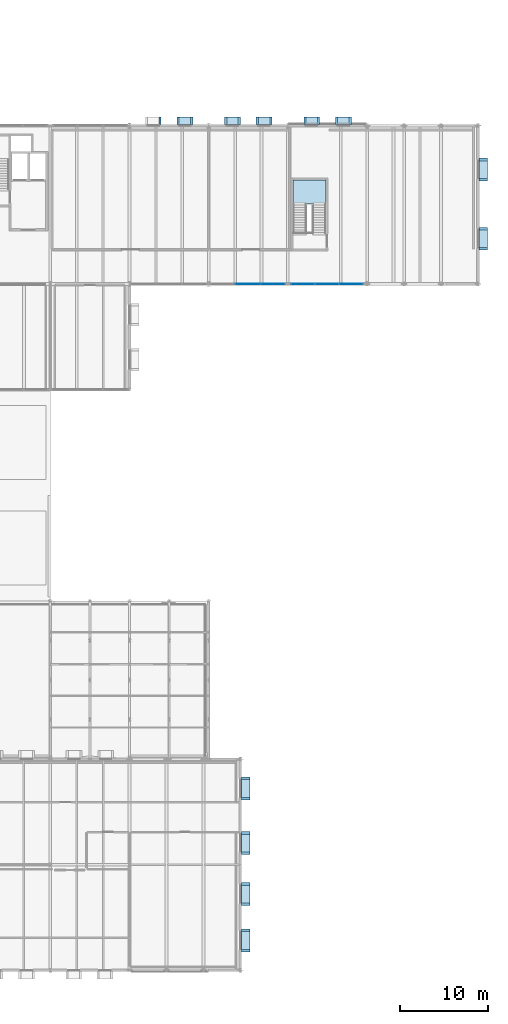
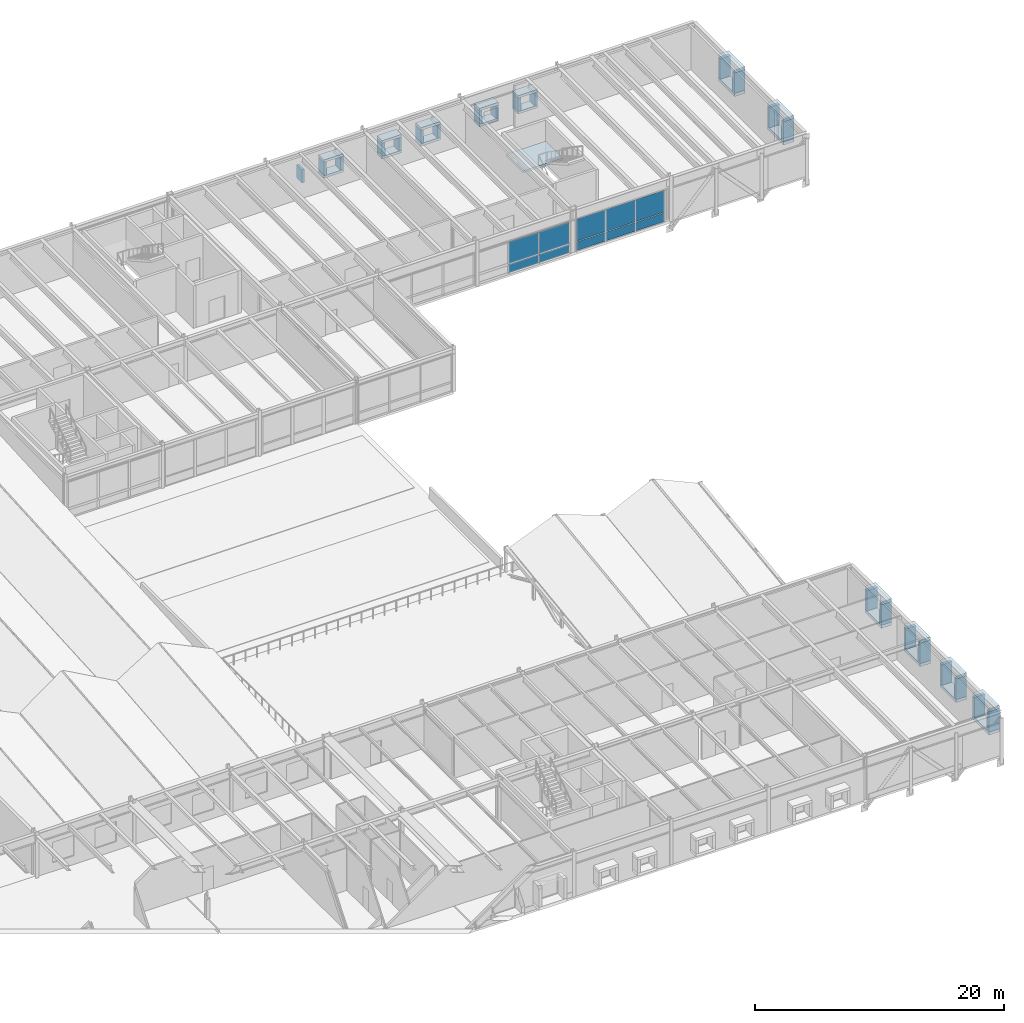
# One storey, part 107 of 142: 55 plates, 1 slab, 3 elements without a shape of their own.
"""IFC4 building model written with IfcOpenShell, lengths in metres."""

from ifc_helpers import new_model, si_unit, direction, frame, origin, origin_2d, place, context, subcontext, project, spatial, polyline, rectangle, outline, extrude, material, layer, layer_set, type_object, element, aggregate, save


model = new_model("IFC4")

# Units and contexts
model_context = context("Model", 3, precision=1e-05, world=origin(), true_north=direction((0.0, 1.0)))
body_context = subcontext(model_context, "Body", "Model", "MODEL_VIEW")
ifc_project = project(units=[si_unit("LENGTHUNIT", "METRE"), si_unit("AREAUNIT", "SQUARE_METRE"), si_unit("VOLUMEUNIT", "CUBIC_METRE"), si_unit("PLANEANGLEUNIT", "RADIAN"), si_unit("MASSUNIT", "GRAM", prefix="KILO")], contexts=[model_context])

# Site, building, storey
site_placement = place(None, origin())
site = spatial("IfcSite", under=ifc_project, at=site_placement, CompositionType="ELEMENT")
building_placement = place(site_placement, origin())
building = spatial("IfcBuilding", under=site, at=building_placement, Name="Montelvaro Courts of Justice", CompositionType="ELEMENT")
storey_placement = place(building_placement, frame((0.0, 0.0, 14.39990234375)))
storey = spatial("IfcBuildingStorey", under=building, at=storey_placement, Name="L03", CompositionType="ELEMENT", Elevation=14.39990234375)

# Curtain wall, plates
ifc_material_1 = material(Name="Anodised aluminium EN AW-6063", Category="aluminium")
ifc_layer_1 = layer(ifc_material_1, 0.159912109375)
ifc_layer_set_1 = layer_set([ifc_layer_1], Name="Anodised aluminium EN AW-6063")
curtain_wall_type_1 = type_object("IfcCurtainWallType", Name="CurtainWall_13_857x418", PredefinedType="USERDEFINED", material=ifc_layer_set_1)
curtain_wall_1_placement = place(storey_placement, origin())
curtain_wall_1 = element("IfcCurtainWall", 1, at=curtain_wall_1_placement, inside=storey, type_object=curtain_wall_type_1, Name="Curtain Wall CW-13 (L03)", ObjectType="CURTAIN WALL", PredefinedType="USERDEFINED")
ifc_material_2 = material(Name="Low-E solar control double glazing", Category="glass")
ifc_layer_2 = layer(ifc_material_2, 0.028076171875)
ifc_layer_set_2 = layer_set([ifc_layer_2], Name="Low-E solar control double glazing")
plate_type_1 = type_object("IfcPlateType", Name="CurtainWall_Glazed_Panel_28", PredefinedType="CURTAIN_PANEL", material=ifc_layer_set_2)
plate_1_placement = place(storey_placement, frame((148.4375, 78.0, 0.0751953125), z_axis=(0.0, 0.0, 1.0), x_axis=(1.0, 0.0, 0.0)))
plate_1 = element("IfcPlate", 2, at=plate_1_placement, type_object=plate_type_1, Name="CW-13 panel 2.1", PredefinedType="CURTAIN_PANEL", context=body_context, shape_type="SweptSolid", body=[
    extrude(rectangle(XDim=2.788330078125, YDim=0.028076171875, at=origin_2d()), origin(), (0.0, 0.0, 1.0), 0.83740234375),
])
plate_2_placement = place(storey_placement, frame((148.4375, 78.0, 0.987548828125), z_axis=(0.0, 0.0, 1.0), x_axis=(1.0, 0.0, 0.0)))
plate_2 = element("IfcPlate", 3, at=plate_2_placement, type_object=plate_type_1, Name="CW-13 panel 2.2", PredefinedType="CURTAIN_PANEL", context=body_context, shape_type="SweptSolid", body=[
    extrude(rectangle(XDim=2.788330078125, YDim=0.028076171875, at=origin_2d()), origin(), (0.0, 0.0, 1.0), 2.12451171875),
])
plate_3_placement = place(storey_placement, frame((151.270751953125, 78.0, 0.0751953125), z_axis=(0.0, 0.0, 1.0), x_axis=(1.0, 0.0, 0.0)))
plate_3 = element("IfcPlate", 4, at=plate_3_placement, type_object=plate_type_1, Name="CW-13 panel 3.1", PredefinedType="CURTAIN_PANEL", context=body_context, shape_type="SweptSolid", body=[
    extrude(rectangle(XDim=2.75830078125, YDim=0.028076171875, at=origin_2d()), origin(), (0.0, 0.0, 1.0), 0.83740234375),
])
plate_4_placement = place(storey_placement, frame((151.270751953125, 78.0, 0.987548828125), z_axis=(0.0, 0.0, 1.0), x_axis=(1.0, 0.0, 0.0)))
plate_4 = element("IfcPlate", 5, at=plate_4_placement, type_object=plate_type_1, Name="CW-13 panel 3.2", PredefinedType="CURTAIN_PANEL", context=body_context, shape_type="SweptSolid", body=[
    extrude(rectangle(XDim=2.75830078125, YDim=0.028076171875, at=origin_2d()), origin(), (0.0, 0.0, 1.0), 2.12451171875),
])
aggregate(curtain_wall_1, [plate_1, plate_2, plate_3, plate_4])

ifc_layer_3 = layer(ifc_material_1, 0.159912109375)
ifc_layer_set_3 = layer_set([ifc_layer_3], Name="Anodised aluminium EN AW-6063")
curtain_wall_type_2 = type_object("IfcCurtainWallType", Name="CurtainWall_26_824x418", PredefinedType="USERDEFINED", material=ifc_layer_set_3)
curtain_wall_2_placement = place(storey_placement, origin())
curtain_wall_2 = element("IfcCurtainWall", 6, at=curtain_wall_2_placement, inside=storey, type_object=curtain_wall_type_2, Name="Curtain Wall CW-26 (L03)", ObjectType="CURTAIN WALL", PredefinedType="USERDEFINED")
plate_5_placement = place(storey_placement, frame((154.682861328125, 78.0, 0.06005859375), z_axis=(0.0, 0.0, 1.0), x_axis=(1.0, 0.0, 0.0)))
plate_5 = element("IfcPlate", 7, at=plate_5_placement, type_object=plate_type_1, Name="CW-26 panel 1.1", PredefinedType="CURTAIN_PANEL", context=body_context, shape_type="SweptSolid", body=[
    extrude(rectangle(XDim=2.65576171875, YDim=0.028076171875, at=origin_2d()), origin(), (0.0, 0.0, 1.0), 0.860107421875),
])
plate_6_placement = place(storey_placement, frame((154.682861328125, 78.0, 0.980224609375), z_axis=(0.0, 0.0, 1.0), x_axis=(1.0, 0.0, 0.0)))
plate_6 = element("IfcPlate", 8, at=plate_6_placement, type_object=plate_type_1, Name="CW-26 panel 1.2", PredefinedType="CURTAIN_PANEL", context=body_context, shape_type="SweptSolid", body=[
    extrude(rectangle(XDim=2.65576171875, YDim=0.028076171875, at=origin_2d()), origin(), (0.0, 0.0, 1.0), 2.14697265625),
])
plate_7_placement = place(storey_placement, frame((157.419921875, 78.0, 0.06005859375), z_axis=(0.0, 0.0, 1.0), x_axis=(1.0, 0.0, 0.0)))
plate_7 = element("IfcPlate", 9, at=plate_7_placement, type_object=plate_type_1, Name="CW-26 panel 2.1", PredefinedType="CURTAIN_PANEL", context=body_context, shape_type="SweptSolid", body=[
    extrude(rectangle(XDim=2.688232421875, YDim=0.028076171875, at=origin_2d()), origin(), (0.0, 0.0, 1.0), 0.860107421875),
])
plate_8_placement = place(storey_placement, frame((157.419921875, 78.0, 0.980224609375), z_axis=(0.0, 0.0, 1.0), x_axis=(1.0, 0.0, 0.0)))
plate_8 = element("IfcPlate", 10, at=plate_8_placement, type_object=plate_type_1, Name="CW-26 panel 2.2", PredefinedType="CURTAIN_PANEL", context=body_context, shape_type="SweptSolid", body=[
    extrude(rectangle(XDim=2.688232421875, YDim=0.028076171875, at=origin_2d()), origin(), (0.0, 0.0, 1.0), 2.14697265625),
])
plate_9_placement = place(storey_placement, frame((160.156982421875, 78.0, 0.06005859375), z_axis=(0.0, 0.0, 1.0), x_axis=(1.0, 0.0, 0.0)))
plate_9 = element("IfcPlate", 11, at=plate_9_placement, type_object=plate_type_1, Name="CW-26 panel 3.1", PredefinedType="CURTAIN_PANEL", context=body_context, shape_type="SweptSolid", body=[
    extrude(rectangle(XDim=2.65576171875, YDim=0.028076171875, at=origin_2d()), origin(), (0.0, 0.0, 1.0), 0.860107421875),
])
plate_10_placement = place(storey_placement, frame((160.156982421875, 78.0, 0.980224609375), z_axis=(0.0, 0.0, 1.0), x_axis=(1.0, 0.0, 0.0)))
plate_10 = element("IfcPlate", 12, at=plate_10_placement, type_object=plate_type_1, Name="CW-26 panel 3.2", PredefinedType="CURTAIN_PANEL", context=body_context, shape_type="SweptSolid", body=[
    extrude(rectangle(XDim=2.65576171875, YDim=0.028076171875, at=origin_2d()), origin(), (0.0, 0.0, 1.0), 2.14697265625),
])
aggregate(curtain_wall_2, [plate_5, plate_6, plate_7, plate_8, plate_9, plate_10])

# Plates
ifc_material_3 = material(Name="White mineral precast concrete C45/55", Category="concrete")
ifc_layer_4 = layer(ifc_material_3, 0.25)
ifc_layer_set_4 = layer_set([ifc_layer_4], Name="White mineral precast concrete C45/55")
plate_type_2 = type_object("IfcPlateType", Name="PrecastSquareFrame_250x850", PredefinedType="SHEET", material=ifc_layer_set_4)
for number, where, z_axis, x_axis, name in (
    (13, (159.297119140625, 96.570068359375, 2.2001953125), (0.0, 0.0, 1.0), (-1.0, 0.0, 0.0), "Graduated Square Window Frame PF-03 W-L03-141 TOP"),
    (14, (159.297119140625, 96.570068359375, 0.650146484375), (0.0, 0.0, 1.0), (-1.0, 0.0, 0.0), "Graduated Square Window Frame PF-03 W-L03-141 BOT"),
):
    element("IfcPlate", number, at=place(storey_placement, frame(where, z_axis=z_axis, x_axis=x_axis)), inside=storey, type_object=plate_type_2, Name=name, PredefinedType="SHEET", context=body_context, shape_type="SweptSolid", body=[
        extrude(rectangle(XDim=1.800048828125, YDim=0.860107421875, at=origin_2d()), origin(), (0.0, 0.0, 1.0), 0.25),
    ])
for number, where, z_axis, x_axis, name in (
    (15, (160.072021484375, 96.570068359375, 0.89990234375), (0.0, 0.0, 1.0), (-1.0, 0.0, 0.0), "Graduated Square Window Frame PF-03 W-L03-141 L"),
    (16, (158.52197265625, 96.570068359375, 0.89990234375), (0.0, 0.0, 1.0), (-1.0, 0.0, 0.0), "Graduated Square Window Frame PF-03 W-L03-141 R"),
):
    element("IfcPlate", number, at=place(storey_placement, frame(where, z_axis=z_axis, x_axis=x_axis)), inside=storey, type_object=plate_type_2, Name=name, PredefinedType="SHEET", context=body_context, shape_type="SweptSolid", body=[
        extrude(rectangle(XDim=0.25, YDim=0.860107421875, at=origin_2d()), origin(), (0.0, 0.0, 1.0), 1.300048828125),
    ])
for number, where, z_axis, x_axis, name in (
    (17, (155.702880859375, 96.570068359375, 2.2001953125), (0.0, 0.0, 1.0), (-1.0, 0.0, 0.0), "Graduated Square Window Frame PF-03 W-L03-142 TOP"),
    (18, (155.702880859375, 96.570068359375, 0.650146484375), (0.0, 0.0, 1.0), (-1.0, 0.0, 0.0), "Graduated Square Window Frame PF-03 W-L03-142 BOT"),
):
    element("IfcPlate", number, at=place(storey_placement, frame(where, z_axis=z_axis, x_axis=x_axis)), inside=storey, type_object=plate_type_2, Name=name, PredefinedType="SHEET", context=body_context, shape_type="SweptSolid", body=[
        extrude(rectangle(XDim=1.800048828125, YDim=0.860107421875, at=origin_2d()), origin(), (0.0, 0.0, 1.0), 0.25),
    ])
for number, where, z_axis, x_axis, name in (
    (19, (156.47802734375, 96.570068359375, 0.89990234375), (0.0, 0.0, 1.0), (-1.0, 0.0, 0.0), "Graduated Square Window Frame PF-03 W-L03-142 L"),
    (20, (154.927978515625, 96.570068359375, 0.89990234375), (0.0, 0.0, 1.0), (-1.0, 0.0, 0.0), "Graduated Square Window Frame PF-03 W-L03-142 R"),
):
    element("IfcPlate", number, at=place(storey_placement, frame(where, z_axis=z_axis, x_axis=x_axis)), inside=storey, type_object=plate_type_2, Name=name, PredefinedType="SHEET", context=body_context, shape_type="SweptSolid", body=[
        extrude(rectangle(XDim=0.25, YDim=0.860107421875, at=origin_2d()), origin(), (0.0, 0.0, 1.0), 1.300048828125),
    ])
for number, where, z_axis, x_axis, name in (
    (21, (150.297119140625, 96.570068359375, 2.2001953125), (0.0, 0.0, 1.0), (-1.0, 0.0, 0.0), "Graduated Square Window Frame PF-03 W-L03-143 TOP"),
    (22, (150.297119140625, 96.570068359375, 0.650146484375), (0.0, 0.0, 1.0), (-1.0, 0.0, 0.0), "Graduated Square Window Frame PF-03 W-L03-143 BOT"),
):
    element("IfcPlate", number, at=place(storey_placement, frame(where, z_axis=z_axis, x_axis=x_axis)), inside=storey, type_object=plate_type_2, Name=name, PredefinedType="SHEET", context=body_context, shape_type="SweptSolid", body=[
        extrude(rectangle(XDim=1.800048828125, YDim=0.860107421875, at=origin_2d()), origin(), (0.0, 0.0, 1.0), 0.25),
    ])
for number, where, z_axis, x_axis, name in (
    (23, (151.072021484375, 96.570068359375, 0.89990234375), (0.0, 0.0, 1.0), (-1.0, 0.0, 0.0), "Graduated Square Window Frame PF-03 W-L03-143 L"),
    (24, (149.52197265625, 96.570068359375, 0.89990234375), (0.0, 0.0, 1.0), (-1.0, 0.0, 0.0), "Graduated Square Window Frame PF-03 W-L03-143 R"),
):
    element("IfcPlate", number, at=place(storey_placement, frame(where, z_axis=z_axis, x_axis=x_axis)), inside=storey, type_object=plate_type_2, Name=name, PredefinedType="SHEET", context=body_context, shape_type="SweptSolid", body=[
        extrude(rectangle(XDim=0.25, YDim=0.860107421875, at=origin_2d()), origin(), (0.0, 0.0, 1.0), 1.300048828125),
    ])
for number, where, z_axis, x_axis, name in (
    (25, (146.702880859375, 96.570068359375, 2.2001953125), (0.0, 0.0, 1.0), (-1.0, 0.0, 0.0), "Graduated Square Window Frame PF-03 W-L03-144 TOP"),
    (26, (146.702880859375, 96.570068359375, 0.650146484375), (0.0, 0.0, 1.0), (-1.0, 0.0, 0.0), "Graduated Square Window Frame PF-03 W-L03-144 BOT"),
):
    element("IfcPlate", number, at=place(storey_placement, frame(where, z_axis=z_axis, x_axis=x_axis)), inside=storey, type_object=plate_type_2, Name=name, PredefinedType="SHEET", context=body_context, shape_type="SweptSolid", body=[
        extrude(rectangle(XDim=1.800048828125, YDim=0.860107421875, at=origin_2d()), origin(), (0.0, 0.0, 1.0), 0.25),
    ])
for number, where, z_axis, x_axis, name in (
    (27, (147.47802734375, 96.570068359375, 0.89990234375), (0.0, 0.0, 1.0), (-1.0, 0.0, 0.0), "Graduated Square Window Frame PF-03 W-L03-144 L"),
    (28, (145.927978515625, 96.570068359375, 0.89990234375), (0.0, 0.0, 1.0), (-1.0, 0.0, 0.0), "Graduated Square Window Frame PF-03 W-L03-144 R"),
):
    element("IfcPlate", number, at=place(storey_placement, frame(where, z_axis=z_axis, x_axis=x_axis)), inside=storey, type_object=plate_type_2, Name=name, PredefinedType="SHEET", context=body_context, shape_type="SweptSolid", body=[
        extrude(rectangle(XDim=0.25, YDim=0.860107421875, at=origin_2d()), origin(), (0.0, 0.0, 1.0), 1.300048828125),
    ])
for number, where, z_axis, x_axis, name in (
    (29, (141.297119140625, 96.570068359375, 2.2001953125), (0.0, 0.0, 1.0), (-1.0, 0.0, 0.0), "Graduated Square Window Frame PF-03 W-L03-145 TOP"),
    (30, (141.297119140625, 96.570068359375, 0.650146484375), (0.0, 0.0, 1.0), (-1.0, 0.0, 0.0), "Graduated Square Window Frame PF-03 W-L03-145 BOT"),
):
    element("IfcPlate", number, at=place(storey_placement, frame(where, z_axis=z_axis, x_axis=x_axis)), inside=storey, type_object=plate_type_2, Name=name, PredefinedType="SHEET", context=body_context, shape_type="SweptSolid", body=[
        extrude(rectangle(XDim=1.800048828125, YDim=0.860107421875, at=origin_2d()), origin(), (0.0, 0.0, 1.0), 0.25),
    ])
for number, where, z_axis, x_axis, name in (
    (31, (142.072021484375, 96.570068359375, 0.89990234375), (0.0, 0.0, 1.0), (-1.0, 0.0, 0.0), "Graduated Square Window Frame PF-03 W-L03-145 L"),
    (32, (140.52197265625, 96.570068359375, 0.89990234375), (0.0, 0.0, 1.0), (-1.0, 0.0, 0.0), "Graduated Square Window Frame PF-03 W-L03-145 R"),
    (33, (138.47802734375, 96.570068359375, 0.89990234375), (0.0, 0.0, 1.0), (-1.0, 0.0, 0.0), "Graduated Square Window Frame PF-03 W-L03-146 L"),
):
    element("IfcPlate", number, at=place(storey_placement, frame(where, z_axis=z_axis, x_axis=x_axis)), inside=storey, type_object=plate_type_2, Name=name, PredefinedType="SHEET", context=body_context, shape_type="SweptSolid", body=[
        extrude(rectangle(XDim=0.25, YDim=0.860107421875, at=origin_2d()), origin(), (0.0, 0.0, 1.0), 1.300048828125),
    ])
ifc_layer_5 = layer(ifc_material_3, 0.300048828125)
ifc_layer_set_5 = layer_set([ifc_layer_5], Name="White mineral precast concrete C45/55")
plate_type_3 = type_object("IfcPlateType", Name="PrecastSquareFrame_300x950", PredefinedType="SHEET", material=ifc_layer_set_5)
for number, where, z_axis, x_axis, name in (
    (34, (175.219970703125, 83.139892578125, 2.85009765625), (0.0, 0.0, 1.0), (0.0, 1.0, 0.0), "Graduated Square Window Frame PF-02 W-L03-139 TOP"),
    (35, (175.219970703125, 83.139892578125, 0.55029296875), (0.0, 0.0, 1.0), (0.0, 1.0, 0.0), "Graduated Square Window Frame PF-02 W-L03-139 BOT"),
):
    element("IfcPlate", number, at=place(storey_placement, frame(where, z_axis=z_axis, x_axis=x_axis)), inside=storey, type_object=plate_type_3, Name=name, PredefinedType="SHEET", context=body_context, shape_type="SweptSolid", body=[
        extrude(rectangle(XDim=2.60009765625, YDim=0.9599609375, at=origin_2d()), origin(), (0.0, 0.0, 1.0), 0.300048828125),
    ])
for number, where, z_axis, x_axis, name in (
    (36, (175.219970703125, 81.989990234375, 0.85009765625), (0.0, 0.0, 1.0), (0.0, 1.0, 0.0), "Graduated Square Window Frame PF-02 W-L03-139 L"),
    (37, (175.219970703125, 84.2900390625, 0.85009765625), (0.0, 0.0, 1.0), (0.0, 1.0, 0.0), "Graduated Square Window Frame PF-02 W-L03-139 R"),
):
    element("IfcPlate", number, at=place(storey_placement, frame(where, z_axis=z_axis, x_axis=x_axis)), inside=storey, type_object=plate_type_3, Name=name, PredefinedType="SHEET", context=body_context, shape_type="SweptSolid", body=[
        extrude(rectangle(XDim=0.300048828125, YDim=0.9599609375, at=origin_2d()), origin(), (0.0, 0.0, 1.0), 2.0),
    ])
for number, where, z_axis, x_axis, name in (
    (38, (175.219970703125, 91.0, 2.85009765625), (0.0, 0.0, 1.0), (0.0, 1.0, 0.0), "Graduated Square Window Frame PF-02 W-L03-140 TOP"),
    (39, (175.219970703125, 91.0, 0.55029296875), (0.0, 0.0, 1.0), (0.0, 1.0, 0.0), "Graduated Square Window Frame PF-02 W-L03-140 BOT"),
):
    element("IfcPlate", number, at=place(storey_placement, frame(where, z_axis=z_axis, x_axis=x_axis)), inside=storey, type_object=plate_type_3, Name=name, PredefinedType="SHEET", context=body_context, shape_type="SweptSolid", body=[
        extrude(rectangle(XDim=2.60009765625, YDim=0.9599609375, at=origin_2d()), origin(), (0.0, 0.0, 1.0), 0.300048828125),
    ])
for number, where, z_axis, x_axis, name in (
    (40, (175.219970703125, 89.85009765625, 0.85009765625), (0.0, 0.0, 1.0), (0.0, 1.0, 0.0), "Graduated Square Window Frame PF-02 W-L03-140 L"),
    (41, (175.219970703125, 92.14990234375, 0.85009765625), (0.0, 0.0, 1.0), (0.0, 1.0, 0.0), "Graduated Square Window Frame PF-02 W-L03-140 R"),
):
    element("IfcPlate", number, at=place(storey_placement, frame(where, z_axis=z_axis, x_axis=x_axis)), inside=storey, type_object=plate_type_3, Name=name, PredefinedType="SHEET", context=body_context, shape_type="SweptSolid", body=[
        extrude(rectangle(XDim=0.300048828125, YDim=0.9599609375, at=origin_2d()), origin(), (0.0, 0.0, 1.0), 2.0),
    ])
for number, where, z_axis, x_axis, name in (
    (42, (148.219970703125, 3.39208984375, 2.85009765625), (0.0, 0.0, 1.0), (0.0, 1.0, 0.0), "Graduated Square Window Frame PF-02 W-L03-177 TOP"),
    (43, (148.219970703125, 3.39208984375, 0.55029296875), (0.0, 0.0, 1.0), (0.0, 1.0, 0.0), "Graduated Square Window Frame PF-02 W-L03-177 BOT"),
):
    element("IfcPlate", number, at=place(storey_placement, frame(where, z_axis=z_axis, x_axis=x_axis)), inside=storey, type_object=plate_type_3, Name=name, PredefinedType="SHEET", context=body_context, shape_type="SweptSolid", body=[
        extrude(rectangle(XDim=2.60009765625, YDim=0.9599609375, at=origin_2d()), origin(), (0.0, 0.0, 1.0), 0.300048828125),
    ])
for number, where, z_axis, x_axis, name in (
    (44, (148.219970703125, 2.241943359375, 0.85009765625), (0.0, 0.0, 1.0), (0.0, 1.0, 0.0), "Graduated Square Window Frame PF-02 W-L03-177 L"),
    (45, (148.219970703125, 4.5419921875, 0.85009765625), (0.0, 0.0, 1.0), (0.0, 1.0, 0.0), "Graduated Square Window Frame PF-02 W-L03-177 R"),
):
    element("IfcPlate", number, at=place(storey_placement, frame(where, z_axis=z_axis, x_axis=x_axis)), inside=storey, type_object=plate_type_3, Name=name, PredefinedType="SHEET", context=body_context, shape_type="SweptSolid", body=[
        extrude(rectangle(XDim=0.300048828125, YDim=0.9599609375, at=origin_2d()), origin(), (0.0, 0.0, 1.0), 2.0),
    ])
for number, where, z_axis, x_axis, name in (
    (46, (148.219970703125, 8.657958984375, 2.85009765625), (0.0, 0.0, 1.0), (0.0, 1.0, 0.0), "Graduated Square Window Frame PF-02 W-L03-178 TOP"),
    (47, (148.219970703125, 8.657958984375, 0.55029296875), (0.0, 0.0, 1.0), (0.0, 1.0, 0.0), "Graduated Square Window Frame PF-02 W-L03-178 BOT"),
):
    element("IfcPlate", number, at=place(storey_placement, frame(where, z_axis=z_axis, x_axis=x_axis)), inside=storey, type_object=plate_type_3, Name=name, PredefinedType="SHEET", context=body_context, shape_type="SweptSolid", body=[
        extrude(rectangle(XDim=2.60009765625, YDim=0.9599609375, at=origin_2d()), origin(), (0.0, 0.0, 1.0), 0.300048828125),
    ])
for number, where, z_axis, x_axis, name in (
    (48, (148.219970703125, 7.508056640625, 0.85009765625), (0.0, 0.0, 1.0), (0.0, 1.0, 0.0), "Graduated Square Window Frame PF-02 W-L03-178 L"),
    (49, (148.219970703125, 9.80810546875, 0.85009765625), (0.0, 0.0, 1.0), (0.0, 1.0, 0.0), "Graduated Square Window Frame PF-02 W-L03-178 R"),
):
    element("IfcPlate", number, at=place(storey_placement, frame(where, z_axis=z_axis, x_axis=x_axis)), inside=storey, type_object=plate_type_3, Name=name, PredefinedType="SHEET", context=body_context, shape_type="SweptSolid", body=[
        extrude(rectangle(XDim=0.300048828125, YDim=0.9599609375, at=origin_2d()), origin(), (0.0, 0.0, 1.0), 2.0),
    ])
for number, where, z_axis, x_axis, name in (
    (50, (148.219970703125, 14.4599609375, 2.85009765625), (0.0, 0.0, 1.0), (0.0, 1.0, 0.0), "Graduated Square Window Frame PF-02 W-L03-179 TOP"),
    (51, (148.219970703125, 14.4599609375, 0.55029296875), (0.0, 0.0, 1.0), (0.0, 1.0, 0.0), "Graduated Square Window Frame PF-02 W-L03-179 BOT"),
):
    element("IfcPlate", number, at=place(storey_placement, frame(where, z_axis=z_axis, x_axis=x_axis)), inside=storey, type_object=plate_type_3, Name=name, PredefinedType="SHEET", context=body_context, shape_type="SweptSolid", body=[
        extrude(rectangle(XDim=2.60009765625, YDim=0.9599609375, at=origin_2d()), origin(), (0.0, 0.0, 1.0), 0.300048828125),
    ])
for number, where, z_axis, x_axis, name in (
    (52, (148.219970703125, 13.31005859375, 0.85009765625), (0.0, 0.0, 1.0), (0.0, 1.0, 0.0), "Graduated Square Window Frame PF-02 W-L03-179 L"),
    (53, (148.219970703125, 15.610107421875, 0.85009765625), (0.0, 0.0, 1.0), (0.0, 1.0, 0.0), "Graduated Square Window Frame PF-02 W-L03-179 R"),
):
    element("IfcPlate", number, at=place(storey_placement, frame(where, z_axis=z_axis, x_axis=x_axis)), inside=storey, type_object=plate_type_3, Name=name, PredefinedType="SHEET", context=body_context, shape_type="SweptSolid", body=[
        extrude(rectangle(XDim=0.300048828125, YDim=0.9599609375, at=origin_2d()), origin(), (0.0, 0.0, 1.0), 2.0),
    ])
for number, where, z_axis, x_axis, name in (
    (54, (148.219970703125, 20.666015625, 2.85009765625), (0.0, 0.0, 1.0), (0.0, 1.0, 0.0), "Graduated Square Window Frame PF-02 W-L03-180 TOP"),
    (55, (148.219970703125, 20.666015625, 0.55029296875), (0.0, 0.0, 1.0), (0.0, 1.0, 0.0), "Graduated Square Window Frame PF-02 W-L03-180 BOT"),
):
    element("IfcPlate", number, at=place(storey_placement, frame(where, z_axis=z_axis, x_axis=x_axis)), inside=storey, type_object=plate_type_3, Name=name, PredefinedType="SHEET", context=body_context, shape_type="SweptSolid", body=[
        extrude(rectangle(XDim=2.60009765625, YDim=0.9599609375, at=origin_2d()), origin(), (0.0, 0.0, 1.0), 0.300048828125),
    ])
for number, where, z_axis, x_axis, name in (
    (56, (148.219970703125, 19.51611328125, 0.85009765625), (0.0, 0.0, 1.0), (0.0, 1.0, 0.0), "Graduated Square Window Frame PF-02 W-L03-180 L"),
    (57, (148.219970703125, 21.81591796875, 0.85009765625), (0.0, 0.0, 1.0), (0.0, 1.0, 0.0), "Graduated Square Window Frame PF-02 W-L03-180 R"),
):
    element("IfcPlate", number, at=place(storey_placement, frame(where, z_axis=z_axis, x_axis=x_axis)), inside=storey, type_object=plate_type_3, Name=name, PredefinedType="SHEET", context=body_context, shape_type="SweptSolid", body=[
        extrude(rectangle(XDim=0.300048828125, YDim=0.9599609375, at=origin_2d()), origin(), (0.0, 0.0, 1.0), 2.0),
    ])

# Stair, slab
ifc_material_4 = material(Name="Concrete C35/45", Category="concrete")
stair_type = type_object("IfcStairType", Name="ProtectedStair_150", PredefinedType="HALF_TURN_STAIR", material=ifc_material_4)
stair_placement = place(storey_placement, origin())
stair = element("IfcStair", 58, at=stair_placement, inside=storey, type_object=stair_type, Name="Protected Stair ST-V2-L03", PredefinedType="HALF_TURN_STAIR")
ifc_layer_6 = layer(ifc_material_4, 0.199951171875)
ifc_layer_set_6 = layer_set([ifc_layer_6], Name="Concrete C35/45")
slab_type = type_object("IfcSlabType", Name="StairLanding_200", PredefinedType="LANDING", material=ifc_layer_set_6)
slab_placement = place(storey_placement, frame((0.0, 0.0, 2.050048828125)))
slab = element("IfcSlab", 59, at=slab_placement, type_object=slab_type, Name="ST-V2-L03 landing 1", PredefinedType="LANDING", context=body_context, shape_type="SweptSolid", body=[
    extrude(outline(polyline([(153.60009765625, 87.06494140625), (157.300048828125, 87.06494140625), (157.300048828125, 89.800048828125), (153.60009765625, 89.800048828125), (153.60009765625, 87.06494140625)])), origin(), (0.0, 0.0, 1.0), 0.199951171875),
])
aggregate(stair, [slab])

save(model, "model.ifc")
